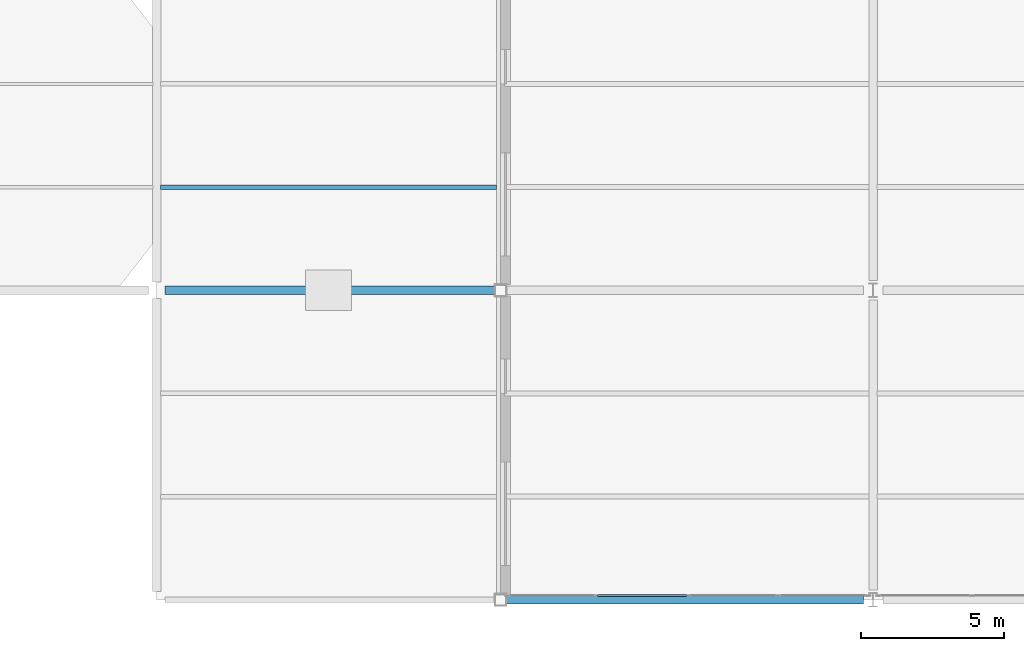
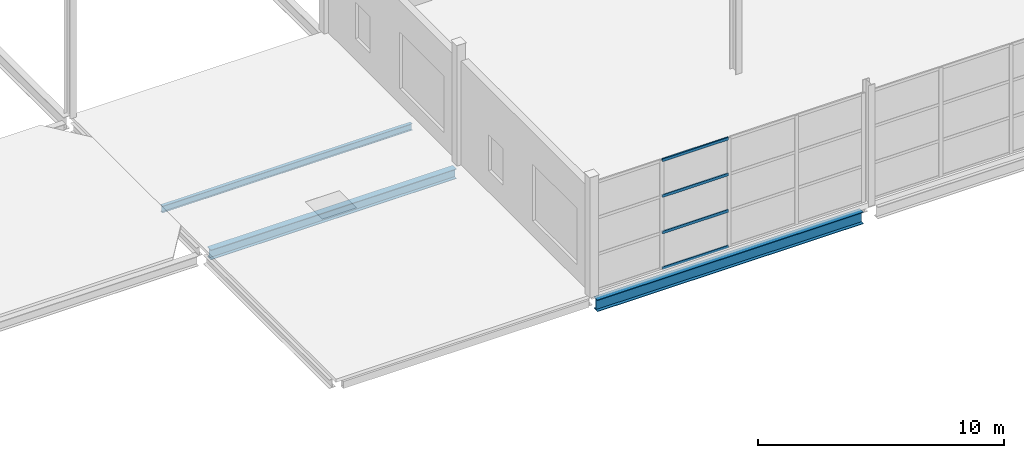
# One storey, part 130 of 191: 4 members, 3 beams, 1 element without a shape of its own.
"""IFC4 building model written with IfcOpenShell, lengths in metres."""

from ifc_helpers import new_model, si_unit, direction, frame, origin, origin_2d, place, context, subcontext, project, spatial, hollow_rectangle, i_section, extrude, material, layer, layer_set, material_profile, profile_set, type_object, element, aggregate, save


model = new_model("IFC4")

# Units and contexts
model_context = context("Model", 3, precision=1e-05, world=origin(), true_north=direction((0.0, 1.0)))
body_context = subcontext(model_context, "Body", "Model", "MODEL_VIEW")
ifc_project = project(units=[si_unit("LENGTHUNIT", "METRE"), si_unit("AREAUNIT", "SQUARE_METRE"), si_unit("VOLUMEUNIT", "CUBIC_METRE"), si_unit("PLANEANGLEUNIT", "RADIAN"), si_unit("MASSUNIT", "GRAM", prefix="KILO")], contexts=[model_context])

# Site, building, storey
site_placement = place(None, origin())
site = spatial("IfcSite", under=ifc_project, at=site_placement, CompositionType="ELEMENT")
building_placement = place(site_placement, origin())
building = spatial("IfcBuilding", under=site, at=building_placement, Name="Tamarisk Ironworks Central Station", CompositionType="ELEMENT")
storey_placement = place(building_placement, frame((0.0, 0.0, 6.60009765625)))
storey = spatial("IfcBuildingStorey", under=building, at=storey_placement, Name="L01", CompositionType="ELEMENT", Elevation=6.60009765625)

# Beams
ifc_material_1 = material(Name="Structural steel S355J2", Category="steel")
ifc_material_profile_1 = material_profile(ifc_material_1, i_section(OverallWidth=0.159912109375, OverallDepth=0.330078125, WebThickness=0.007568359375, FlangeThickness=0.011474609375, at=origin_2d()), Name="IPE 330")
ifc_profile_set_1 = profile_set([ifc_material_profile_1], Name="Structural steel S355J2")
beam_type_1 = type_object("IfcBeamType", Name="BM-B06", PredefinedType="BEAM", material=ifc_profile_set_1)
beam_1_placement = place(storey_placement, frame((128.135009765625, 14.39990234375, -0.3251953125), z_axis=(1.0, 0.0, 0.0), x_axis=(0.0, 1.0, 0.0)))
element("IfcBeam", 1, at=beam_1_placement, inside=storey, type_object=beam_type_1, Name="L01 secondary composite beam 0103", PredefinedType="BEAM", context=body_context, shape_type="SweptSolid", body=[
    extrude(i_section(OverallWidth=0.159912109375, OverallDepth=0.330078125, WebThickness=0.007568359375, FlangeThickness=0.011474609375, at=origin_2d()), origin(), (0.0, 0.0, 1.0), 11.72998046875),
])
ifc_material_profile_2 = material_profile(ifc_material_1, i_section(OverallWidth=0.300048828125, OverallDepth=0.590087890625, WebThickness=0.012939453125, FlangeThickness=0.02490234375, at=origin_2d()), Name="HEA 600")
ifc_profile_set_2 = profile_set([ifc_material_profile_2], Name="Structural steel S355J2")
beam_type_2 = type_object("IfcBeamType", Name="BM-G03", PredefinedType="BEAM", material=ifc_profile_set_2)
beam_2_placement = place(storey_placement, frame((140.18798828125, 0.0, -0.545166015625), z_axis=(1.0, 0.0, 0.0), x_axis=(0.0, 1.0, 0.0)))
element("IfcBeam", 2, at=beam_2_placement, inside=storey, type_object=beam_type_2, Name="L01 primary girder X-0007", PredefinedType="BEAM", context=body_context, shape_type="SweptSolid", body=[
    extrude(i_section(OverallWidth=0.300048828125, OverallDepth=0.590087890625, WebThickness=0.012939453125, FlangeThickness=0.02490234375, at=origin_2d()), origin(), (0.0, 0.0, 1.0), 12.47412109375),
])
ifc_material_profile_3 = material_profile(ifc_material_1, i_section(OverallWidth=0.300048828125, OverallDepth=0.489990234375, WebThickness=0.011962890625, FlangeThickness=0.02294921875, at=origin_2d()), Name="HEA 500")
ifc_profile_set_3 = profile_set([ifc_material_profile_3], Name="Structural steel S355J2")
beam_type_3 = type_object("IfcBeamType", Name="BM-G05", PredefinedType="BEAM", material=ifc_profile_set_3)
beam_3_placement = place(storey_placement, frame((128.2880859375, 10.800048828125, -0.405029296875), z_axis=(1.0, 0.0, 0.0), x_axis=(0.0, 1.0, 0.0)))
element("IfcBeam", 3, at=beam_3_placement, inside=storey, type_object=beam_type_3, Name="L01 primary girder X-0023", PredefinedType="BEAM", context=body_context, shape_type="SweptSolid", body=[
    extrude(i_section(OverallWidth=0.300048828125, OverallDepth=0.489990234375, WebThickness=0.011962890625, FlangeThickness=0.02294921875, at=origin_2d()), origin(), (0.0, 0.0, 1.0), 11.52392578125),
])

# Curtain wall, members
ifc_material_2 = material(Name="Anodized aluminium alloy 6063-T6", Category="aluminium")
ifc_layer = layer(ifc_material_2, 0.179931640625)
ifc_layer_set = layer_set([ifc_layer], Name="Anodized aluminium alloy 6063-T6")
curtain_wall_type = type_object("IfcCurtainWallType", Name="CW-16", PredefinedType="USERDEFINED", material=ifc_layer_set)
curtain_wall_placement = place(storey_placement, origin())
curtain_wall = element("IfcCurtainWall", 4, at=curtain_wall_placement, inside=storey, type_object=curtain_wall_type, Name="South-east annex L01 curtain wall 140", ObjectType="GLAZED CURTAIN WALL", PredefinedType="USERDEFINED")
ifc_material_profile_4 = material_profile(ifc_material_2, hollow_rectangle(XDim=0.06494140625, YDim=0.135009765625, WallThickness=0.00341796875, at=origin_2d()), Name="ALUM 135x65")
ifc_profile_set_4 = profile_set([ifc_material_profile_4], Name="Anodized aluminium alloy 6063-T6")
member_type = type_object("IfcMemberType", Name="CWT-02", PredefinedType="USERDEFINED", material=ifc_profile_set_4)
member_1_placement = place(storey_placement, frame((143.389892578125, 0.14990234375, 0.032470703125), z_axis=(1.0, 0.0, 0.0), x_axis=(0.0, 1.0, 0.0)))
member_1 = element("IfcMember", 5, at=member_1_placement, type_object=member_type, Name="CW16 transom 2.1", ObjectType="TRANSOM", PredefinedType="USERDEFINED", context=body_context, shape_type="SweptSolid", body=[
    extrude(hollow_rectangle(XDim=0.06494140625, YDim=0.135009765625, WallThickness=0.00341796875, at=origin_2d()), origin(), (0.0, 0.0, 1.0), 3.106689453125),
])
member_2_placement = place(storey_placement, frame((143.389892578125, 0.14990234375, 1.806640625), z_axis=(1.0, 0.0, 0.0), x_axis=(0.0, 1.0, 0.0)))
member_2 = element("IfcMember", 6, at=member_2_placement, type_object=member_type, Name="CW16 transom 2.2", ObjectType="TRANSOM", PredefinedType="USERDEFINED", context=body_context, shape_type="SweptSolid", body=[
    extrude(hollow_rectangle(XDim=0.06494140625, YDim=0.135009765625, WallThickness=0.00341796875, at=origin_2d()), origin(), (0.0, 0.0, 1.0), 3.106689453125),
])
member_3_placement = place(storey_placement, frame((143.389892578125, 0.14990234375, 3.61328125), z_axis=(1.0, 0.0, 0.0), x_axis=(0.0, 1.0, 0.0)))
member_3 = element("IfcMember", 7, at=member_3_placement, type_object=member_type, Name="CW16 transom 2.3", ObjectType="TRANSOM", PredefinedType="USERDEFINED", context=body_context, shape_type="SweptSolid", body=[
    extrude(hollow_rectangle(XDim=0.06494140625, YDim=0.135009765625, WallThickness=0.00341796875, at=origin_2d()), origin(), (0.0, 0.0, 1.0), 3.106689453125),
])
member_4_placement = place(storey_placement, frame((143.389892578125, 0.14990234375, 5.387451171875), z_axis=(1.0, 0.0, 0.0), x_axis=(0.0, 1.0, 0.0)))
member_4 = element("IfcMember", 8, at=member_4_placement, type_object=member_type, Name="CW16 transom 2.4", ObjectType="TRANSOM", PredefinedType="USERDEFINED", context=body_context, shape_type="SweptSolid", body=[
    extrude(hollow_rectangle(XDim=0.06494140625, YDim=0.135009765625, WallThickness=0.00341796875, at=origin_2d()), origin(), (0.0, 0.0, 1.0), 3.106689453125),
])
aggregate(curtain_wall, [member_1, member_2, member_3, member_4])

save(model, "model.ifc")
